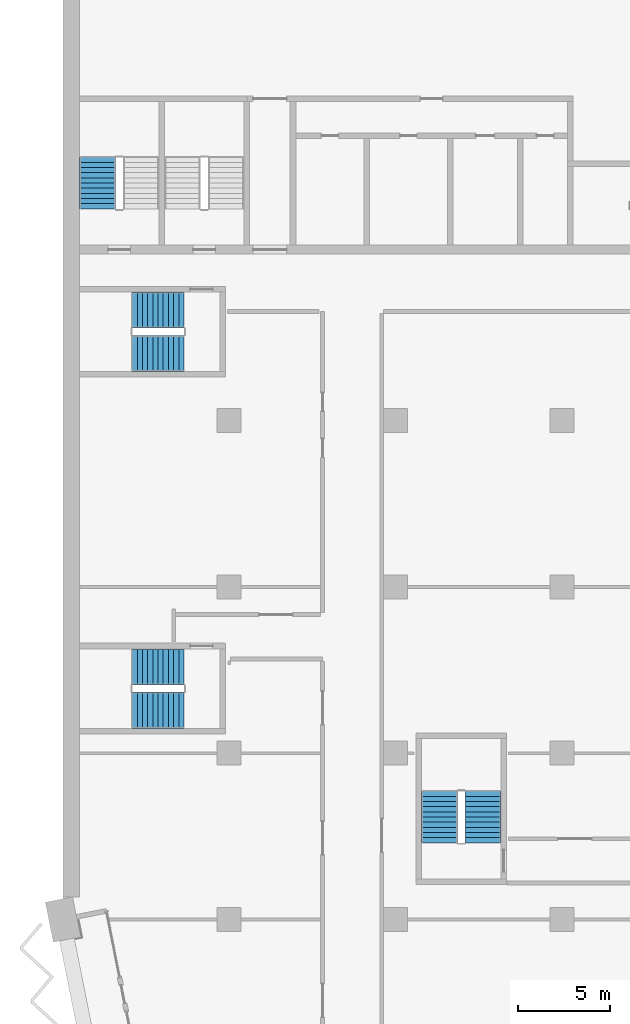
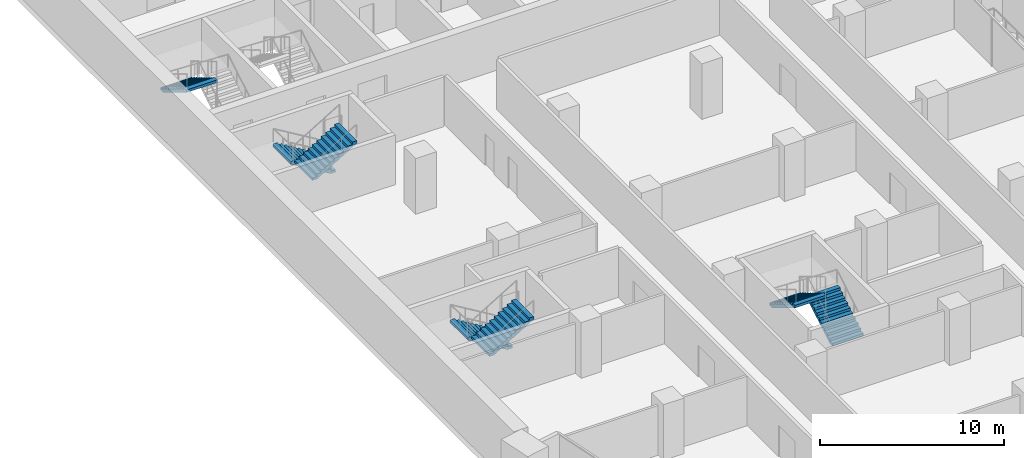
# One storey, part 16 of 23: 7 stair flights, 4 elements without a shape of their own.
"""IFC4 building model written with IfcOpenShell, lengths in metres."""

from ifc_helpers import new_model, si_unit, direction, frame, origin, place, context, subcontext, project, spatial, polyline, outline, extrude, material, type_object, element, aggregate, save


model = new_model("IFC4")

# Units and contexts
model_context = context("Model", 3, precision=1e-05, world=origin(), true_north=direction((0.0, 1.0)))
body_context = subcontext(model_context, "Body", "Model", "MODEL_VIEW")
ifc_project = project(units=[si_unit("LENGTHUNIT", "METRE"), si_unit("AREAUNIT", "SQUARE_METRE"), si_unit("VOLUMEUNIT", "CUBIC_METRE"), si_unit("PLANEANGLEUNIT", "RADIAN"), si_unit("MASSUNIT", "GRAM", prefix="KILO")], contexts=[model_context])

# Site, building, storey
site_placement = place(None, origin())
site = spatial("IfcSite", under=ifc_project, at=site_placement, CompositionType="ELEMENT")
building_placement = place(site_placement, origin())
building = spatial("IfcBuilding", under=site, at=building_placement, Name="Hunhe Ridgeline Campus", CompositionType="ELEMENT")
storey_placement = place(building_placement, frame((0.0, 0.0, 110.699951171875)))
storey = spatial("IfcBuildingStorey", under=building, at=storey_placement, Name="L27", CompositionType="ELEMENT", Elevation=110.699951171875)

# Stair, stair flight
ifc_material = material(Name="Concrete C40", Category="concrete")
stair_type = type_object("IfcStairType", Name="Reinforced concrete dog-leg stair 1950 Concrete C40", PredefinedType="HALF_TURN_STAIR", material=ifc_material)
stair_1_placement = place(storey_placement, origin())
stair_1 = element("IfcStair", 1, at=stair_1_placement, inside=storey, type_object=stair_type, Name="L27 S3", PredefinedType="HALF_TURN_STAIR")
stair_flight_type = type_object("IfcStairFlightType", Name="Reinforced concrete stair flight 1950 Concrete C40", PredefinedType="STRAIGHT", material=ifc_material)
stair_flight_1_placement = place(storey_placement, frame((1.875, 68.25, 1.85009765625), z_axis=(0.0, 0.0, 1.0), x_axis=(0.0, -1.0, 0.0)))
stair_flight_1 = element("IfcStairFlight", 2, at=stair_flight_1_placement, type_object=stair_flight_type, Name="ST3 flight 2", NumberOfRisers=11, NumberOfTreads=10, PredefinedType="STRAIGHT", RiserHeight=0.168181818, TreadLength=0.28, context=body_context, shape_type="SweptSolid", body=[
    extrude(outline(polyline([(0.0, 0.0), (0.0, 0.168212890625), (0.280029296875, 0.168212890625), (0.280029296875, 0.33642578125), (0.56005859375, 0.33642578125), (0.56005859375, 0.504638671875), (0.840087890625, 0.504638671875), (0.840087890625, 0.672607421875), (1.1201171875, 0.672607421875), (1.1201171875, 0.8408203125), (1.39990234375, 0.8408203125), (1.39990234375, 1.009033203125), (1.679931640625, 1.009033203125), (1.679931640625, 1.17724609375), (1.9599609375, 1.17724609375), (1.9599609375, 1.345458984375), (2.239990234375, 1.345458984375), (2.239990234375, 1.513671875), (2.52001953125, 1.513671875), (2.52001953125, 1.681884765625), (2.800048828125, 1.681884765625), (2.800048828125, 1.85009765625), (2.800048828125, 1.5068359375), (0.291015625, 0.0), (0.0, 0.0)])), frame((0.0, 0.97509765625, 0.0), z_axis=(0.0, -1.0, 0.0), x_axis=(1.0, 0.0, 0.0)), (0.0, 0.0, 1.0), 1.949951171875),
    extrude(outline(polyline([(0.030029296875, 0.030029296875), (0.030029296875, 0.13818359375), (0.31005859375, 0.13818359375), (0.31005859375, 0.306396484375), (0.590087890625, 0.306396484375), (0.590087890625, 0.474609375), (0.8701171875, 0.474609375), (0.8701171875, 0.642578125), (1.14990234375, 0.642578125), (1.14990234375, 0.810791015625), (1.429931640625, 0.810791015625), (1.429931640625, 0.97900390625), (1.7099609375, 0.97900390625), (1.7099609375, 1.147216796875), (1.989990234375, 1.147216796875), (1.989990234375, 1.3154296875), (2.27001953125, 1.3154296875), (2.27001953125, 1.483642578125), (2.550048828125, 1.483642578125), (2.550048828125, 1.65185546875), (2.77001953125, 1.65185546875), (2.77001953125, 1.52392578125), (0.28271484375, 0.030029296875), (0.030029296875, 0.030029296875)])), frame((0.0, -0.070068359375, 0.0), z_axis=(0.0, -1.0, 0.0), x_axis=(1.0, 0.0, 0.0)), (0.0, 0.0, 1.0), 0.019775390625),
    extrude(outline(polyline([(0.030029296875, 0.030029296875), (0.030029296875, 0.13818359375), (0.31005859375, 0.13818359375), (0.31005859375, 0.306396484375), (0.590087890625, 0.306396484375), (0.590087890625, 0.474609375), (0.8701171875, 0.474609375), (0.8701171875, 0.642578125), (1.14990234375, 0.642578125), (1.14990234375, 0.810791015625), (1.429931640625, 0.810791015625), (1.429931640625, 0.97900390625), (1.7099609375, 0.97900390625), (1.7099609375, 1.147216796875), (1.989990234375, 1.147216796875), (1.989990234375, 1.3154296875), (2.27001953125, 1.3154296875), (2.27001953125, 1.483642578125), (2.550048828125, 1.483642578125), (2.550048828125, 1.65185546875), (2.77001953125, 1.65185546875), (2.77001953125, 1.52392578125), (0.28271484375, 0.030029296875), (0.030029296875, 0.030029296875)])), frame((0.0, 0.010009765625, 0.0), z_axis=(0.0, -1.0, 0.0), x_axis=(1.0, 0.0, 0.0)), (0.0, 0.0, 1.0), 0.019775390625),
    extrude(outline(polyline([(0.030029296875, 0.030029296875), (0.030029296875, 0.13818359375), (0.31005859375, 0.13818359375), (0.31005859375, 0.306396484375), (0.590087890625, 0.306396484375), (0.590087890625, 0.474609375), (0.8701171875, 0.474609375), (0.8701171875, 0.642578125), (1.14990234375, 0.642578125), (1.14990234375, 0.810791015625), (1.429931640625, 0.810791015625), (1.429931640625, 0.97900390625), (1.7099609375, 0.97900390625), (1.7099609375, 1.147216796875), (1.989990234375, 1.147216796875), (1.989990234375, 1.3154296875), (2.27001953125, 1.3154296875), (2.27001953125, 1.483642578125), (2.550048828125, 1.483642578125), (2.550048828125, 1.65185546875), (2.77001953125, 1.65185546875), (2.77001953125, 1.52392578125), (0.28271484375, 0.030029296875), (0.030029296875, 0.030029296875)])), frame((0.0, 0.090087890625, 0.0), z_axis=(0.0, -1.0, 0.0), x_axis=(1.0, 0.0, 0.0)), (0.0, 0.0, 1.0), 0.019775390625),
])
aggregate(stair_1, [stair_flight_1])

# Stair, stair flights
stair_2_placement = place(storey_placement, origin())
stair_2 = element("IfcStair", 3, at=stair_2_placement, inside=storey, type_object=stair_type, Name="L27 W3", PredefinedType="HALF_TURN_STAIR")
stair_flight_2_placement = place(storey_placement, frame((22.72509765625, 31.14990234375, 0.0), z_axis=(0.0, 0.0, 1.0), x_axis=(0.0, 1.0, 0.0)))
stair_flight_2 = element("IfcStairFlight", 4, at=stair_flight_2_placement, type_object=stair_flight_type, Name="ST9 flight 1", NumberOfRisers=11, NumberOfTreads=10, PredefinedType="STRAIGHT", RiserHeight=0.168181818, TreadLength=0.28, context=body_context, shape_type="SweptSolid", body=[
    extrude(outline(polyline([(0.0, 0.0), (0.0, 0.168212890625), (0.280029296875, 0.168212890625), (0.280029296875, 0.33642578125), (0.56005859375, 0.33642578125), (0.56005859375, 0.504638671875), (0.840087890625, 0.504638671875), (0.840087890625, 0.672607421875), (1.1201171875, 0.672607421875), (1.1201171875, 0.8408203125), (1.39990234375, 0.8408203125), (1.39990234375, 1.009033203125), (1.679931640625, 1.009033203125), (1.679931640625, 1.17724609375), (1.9599609375, 1.17724609375), (1.9599609375, 1.345458984375), (2.239990234375, 1.345458984375), (2.239990234375, 1.513671875), (2.52001953125, 1.513671875), (2.52001953125, 1.681884765625), (2.800048828125, 1.681884765625), (2.800048828125, 1.85009765625), (2.800048828125, 1.5068359375), (0.291015625, 0.0), (0.0, 0.0)])), frame((0.0, 0.97509765625, 0.0), z_axis=(0.0, -1.0, 0.0), x_axis=(1.0, 0.0, 0.0)), (0.0, 0.0, 1.0), 1.949951171875),
    extrude(outline(polyline([(0.030029296875, 0.030029296875), (0.030029296875, 0.13818359375), (0.31005859375, 0.13818359375), (0.31005859375, 0.306396484375), (0.590087890625, 0.306396484375), (0.590087890625, 0.474609375), (0.8701171875, 0.474609375), (0.8701171875, 0.642578125), (1.14990234375, 0.642578125), (1.14990234375, 0.810791015625), (1.429931640625, 0.810791015625), (1.429931640625, 0.97900390625), (1.7099609375, 0.97900390625), (1.7099609375, 1.147216796875), (1.989990234375, 1.147216796875), (1.989990234375, 1.3154296875), (2.27001953125, 1.3154296875), (2.27001953125, 1.483642578125), (2.550048828125, 1.483642578125), (2.550048828125, 1.65185546875), (2.77001953125, 1.65185546875), (2.77001953125, 1.52392578125), (0.28271484375, 0.030029296875), (0.030029296875, 0.030029296875)])), frame((0.0, -0.070068359375, 0.0), z_axis=(0.0, -1.0, 0.0), x_axis=(1.0, 0.0, 0.0)), (0.0, 0.0, 1.0), 0.019775390625),
    extrude(outline(polyline([(0.030029296875, 0.030029296875), (0.030029296875, 0.13818359375), (0.31005859375, 0.13818359375), (0.31005859375, 0.306396484375), (0.590087890625, 0.306396484375), (0.590087890625, 0.474609375), (0.8701171875, 0.474609375), (0.8701171875, 0.642578125), (1.14990234375, 0.642578125), (1.14990234375, 0.810791015625), (1.429931640625, 0.810791015625), (1.429931640625, 0.97900390625), (1.7099609375, 0.97900390625), (1.7099609375, 1.147216796875), (1.989990234375, 1.147216796875), (1.989990234375, 1.3154296875), (2.27001953125, 1.3154296875), (2.27001953125, 1.483642578125), (2.550048828125, 1.483642578125), (2.550048828125, 1.65185546875), (2.77001953125, 1.65185546875), (2.77001953125, 1.52392578125), (0.28271484375, 0.030029296875), (0.030029296875, 0.030029296875)])), frame((0.0, 0.010009765625, 0.0), z_axis=(0.0, -1.0, 0.0), x_axis=(1.0, 0.0, 0.0)), (0.0, 0.0, 1.0), 0.019775390625),
    extrude(outline(polyline([(0.030029296875, 0.030029296875), (0.030029296875, 0.13818359375), (0.31005859375, 0.13818359375), (0.31005859375, 0.306396484375), (0.590087890625, 0.306396484375), (0.590087890625, 0.474609375), (0.8701171875, 0.474609375), (0.8701171875, 0.642578125), (1.14990234375, 0.642578125), (1.14990234375, 0.810791015625), (1.429931640625, 0.810791015625), (1.429931640625, 0.97900390625), (1.7099609375, 0.97900390625), (1.7099609375, 1.147216796875), (1.989990234375, 1.147216796875), (1.989990234375, 1.3154296875), (2.27001953125, 1.3154296875), (2.27001953125, 1.483642578125), (2.550048828125, 1.483642578125), (2.550048828125, 1.65185546875), (2.77001953125, 1.65185546875), (2.77001953125, 1.52392578125), (0.28271484375, 0.030029296875), (0.030029296875, 0.030029296875)])), frame((0.0, 0.090087890625, 0.0), z_axis=(0.0, -1.0, 0.0), x_axis=(1.0, 0.0, 0.0)), (0.0, 0.0, 1.0), 0.019775390625),
])
stair_flight_3_placement = place(storey_placement, frame((20.375, 33.949951171875, 1.85009765625), z_axis=(0.0, 0.0, 1.0), x_axis=(0.0, -1.0, 0.0)))
stair_flight_3 = element("IfcStairFlight", 5, at=stair_flight_3_placement, type_object=stair_flight_type, Name="ST9 flight 2", NumberOfRisers=11, NumberOfTreads=10, PredefinedType="STRAIGHT", RiserHeight=0.168181818, TreadLength=0.28, context=body_context, shape_type="SweptSolid", body=[
    extrude(outline(polyline([(0.0, 0.0), (0.0, 0.168212890625), (0.280029296875, 0.168212890625), (0.280029296875, 0.33642578125), (0.56005859375, 0.33642578125), (0.56005859375, 0.504638671875), (0.840087890625, 0.504638671875), (0.840087890625, 0.672607421875), (1.1201171875, 0.672607421875), (1.1201171875, 0.8408203125), (1.39990234375, 0.8408203125), (1.39990234375, 1.009033203125), (1.679931640625, 1.009033203125), (1.679931640625, 1.17724609375), (1.9599609375, 1.17724609375), (1.9599609375, 1.345458984375), (2.239990234375, 1.345458984375), (2.239990234375, 1.513671875), (2.52001953125, 1.513671875), (2.52001953125, 1.681884765625), (2.800048828125, 1.681884765625), (2.800048828125, 1.85009765625), (2.800048828125, 1.5068359375), (0.291015625, 0.0), (0.0, 0.0)])), frame((0.0, 0.97509765625, 0.0), z_axis=(0.0, -1.0, 0.0), x_axis=(1.0, 0.0, 0.0)), (0.0, 0.0, 1.0), 1.949951171875),
    extrude(outline(polyline([(0.030029296875, 0.030029296875), (0.030029296875, 0.13818359375), (0.31005859375, 0.13818359375), (0.31005859375, 0.306396484375), (0.590087890625, 0.306396484375), (0.590087890625, 0.474609375), (0.8701171875, 0.474609375), (0.8701171875, 0.642578125), (1.14990234375, 0.642578125), (1.14990234375, 0.810791015625), (1.429931640625, 0.810791015625), (1.429931640625, 0.97900390625), (1.7099609375, 0.97900390625), (1.7099609375, 1.147216796875), (1.989990234375, 1.147216796875), (1.989990234375, 1.3154296875), (2.27001953125, 1.3154296875), (2.27001953125, 1.483642578125), (2.550048828125, 1.483642578125), (2.550048828125, 1.65185546875), (2.77001953125, 1.65185546875), (2.77001953125, 1.52392578125), (0.28271484375, 0.030029296875), (0.030029296875, 0.030029296875)])), frame((0.0, -0.070068359375, 0.0), z_axis=(0.0, -1.0, 0.0), x_axis=(1.0, 0.0, 0.0)), (0.0, 0.0, 1.0), 0.019775390625),
    extrude(outline(polyline([(0.030029296875, 0.030029296875), (0.030029296875, 0.13818359375), (0.31005859375, 0.13818359375), (0.31005859375, 0.306396484375), (0.590087890625, 0.306396484375), (0.590087890625, 0.474609375), (0.8701171875, 0.474609375), (0.8701171875, 0.642578125), (1.14990234375, 0.642578125), (1.14990234375, 0.810791015625), (1.429931640625, 0.810791015625), (1.429931640625, 0.97900390625), (1.7099609375, 0.97900390625), (1.7099609375, 1.147216796875), (1.989990234375, 1.147216796875), (1.989990234375, 1.3154296875), (2.27001953125, 1.3154296875), (2.27001953125, 1.483642578125), (2.550048828125, 1.483642578125), (2.550048828125, 1.65185546875), (2.77001953125, 1.65185546875), (2.77001953125, 1.52392578125), (0.28271484375, 0.030029296875), (0.030029296875, 0.030029296875)])), frame((0.0, 0.010009765625, 0.0), z_axis=(0.0, -1.0, 0.0), x_axis=(1.0, 0.0, 0.0)), (0.0, 0.0, 1.0), 0.019775390625),
    extrude(outline(polyline([(0.030029296875, 0.030029296875), (0.030029296875, 0.13818359375), (0.31005859375, 0.13818359375), (0.31005859375, 0.306396484375), (0.590087890625, 0.306396484375), (0.590087890625, 0.474609375), (0.8701171875, 0.474609375), (0.8701171875, 0.642578125), (1.14990234375, 0.642578125), (1.14990234375, 0.810791015625), (1.429931640625, 0.810791015625), (1.429931640625, 0.97900390625), (1.7099609375, 0.97900390625), (1.7099609375, 1.147216796875), (1.989990234375, 1.147216796875), (1.989990234375, 1.3154296875), (2.27001953125, 1.3154296875), (2.27001953125, 1.483642578125), (2.550048828125, 1.483642578125), (2.550048828125, 1.65185546875), (2.77001953125, 1.65185546875), (2.77001953125, 1.52392578125), (0.28271484375, 0.030029296875), (0.030029296875, 0.030029296875)])), frame((0.0, 0.090087890625, 0.0), z_axis=(0.0, -1.0, 0.0), x_axis=(1.0, 0.0, 0.0)), (0.0, 0.0, 1.0), 0.019775390625),
])
aggregate(stair_2, [stair_flight_2, stair_flight_3])

stair_3_placement = place(storey_placement, origin())
stair_3 = element("IfcStair", 6, at=stair_3_placement, inside=storey, type_object=stair_type, Name="L27 W1", PredefinedType="HALF_TURN_STAIR")
stair_flight_4_placement = place(storey_placement, frame((6.550048828125, 40.675048828125, 0.0), z_axis=(0.0, 0.0, 1.0), x_axis=(-1.0, 0.0, 0.0)))
stair_flight_4 = element("IfcStairFlight", 7, at=stair_flight_4_placement, type_object=stair_flight_type, Name="ST11 flight 1", NumberOfRisers=11, NumberOfTreads=10, PredefinedType="STRAIGHT", RiserHeight=0.168181818, TreadLength=0.28, context=body_context, shape_type="SweptSolid", body=[
    extrude(outline(polyline([(0.0, 0.0), (0.0, 0.168212890625), (0.280029296875, 0.168212890625), (0.280029296875, 0.33642578125), (0.56005859375, 0.33642578125), (0.56005859375, 0.504638671875), (0.840087890625, 0.504638671875), (0.840087890625, 0.672607421875), (1.1201171875, 0.672607421875), (1.1201171875, 0.8408203125), (1.39990234375, 0.8408203125), (1.39990234375, 1.009033203125), (1.679931640625, 1.009033203125), (1.679931640625, 1.17724609375), (1.9599609375, 1.17724609375), (1.9599609375, 1.345458984375), (2.239990234375, 1.345458984375), (2.239990234375, 1.513671875), (2.52001953125, 1.513671875), (2.52001953125, 1.681884765625), (2.800048828125, 1.681884765625), (2.800048828125, 1.85009765625), (2.800048828125, 1.5068359375), (0.291015625, 0.0), (0.0, 0.0)])), frame((0.0, 0.97509765625, 0.0), z_axis=(0.0, -1.0, 0.0), x_axis=(1.0, 0.0, 0.0)), (0.0, 0.0, 1.0), 1.949951171875),
    extrude(outline(polyline([(0.030029296875, 0.030029296875), (0.030029296875, 0.13818359375), (0.31005859375, 0.13818359375), (0.31005859375, 0.306396484375), (0.590087890625, 0.306396484375), (0.590087890625, 0.474609375), (0.8701171875, 0.474609375), (0.8701171875, 0.642578125), (1.14990234375, 0.642578125), (1.14990234375, 0.810791015625), (1.429931640625, 0.810791015625), (1.429931640625, 0.97900390625), (1.7099609375, 0.97900390625), (1.7099609375, 1.147216796875), (1.989990234375, 1.147216796875), (1.989990234375, 1.3154296875), (2.27001953125, 1.3154296875), (2.27001953125, 1.483642578125), (2.550048828125, 1.483642578125), (2.550048828125, 1.65185546875), (2.77001953125, 1.65185546875), (2.77001953125, 1.52392578125), (0.28271484375, 0.030029296875), (0.030029296875, 0.030029296875)])), frame((0.0, -0.070068359375, 0.0), z_axis=(0.0, -1.0, 0.0), x_axis=(1.0, 0.0, 0.0)), (0.0, 0.0, 1.0), 0.019775390625),
    extrude(outline(polyline([(0.030029296875, 0.030029296875), (0.030029296875, 0.13818359375), (0.31005859375, 0.13818359375), (0.31005859375, 0.306396484375), (0.590087890625, 0.306396484375), (0.590087890625, 0.474609375), (0.8701171875, 0.474609375), (0.8701171875, 0.642578125), (1.14990234375, 0.642578125), (1.14990234375, 0.810791015625), (1.429931640625, 0.810791015625), (1.429931640625, 0.97900390625), (1.7099609375, 0.97900390625), (1.7099609375, 1.147216796875), (1.989990234375, 1.147216796875), (1.989990234375, 1.3154296875), (2.27001953125, 1.3154296875), (2.27001953125, 1.483642578125), (2.550048828125, 1.483642578125), (2.550048828125, 1.65185546875), (2.77001953125, 1.65185546875), (2.77001953125, 1.52392578125), (0.28271484375, 0.030029296875), (0.030029296875, 0.030029296875)])), frame((0.0, 0.010009765625, 0.0), z_axis=(0.0, -1.0, 0.0), x_axis=(1.0, 0.0, 0.0)), (0.0, 0.0, 1.0), 0.019775390625),
    extrude(outline(polyline([(0.030029296875, 0.030029296875), (0.030029296875, 0.13818359375), (0.31005859375, 0.13818359375), (0.31005859375, 0.306396484375), (0.590087890625, 0.306396484375), (0.590087890625, 0.474609375), (0.8701171875, 0.474609375), (0.8701171875, 0.642578125), (1.14990234375, 0.642578125), (1.14990234375, 0.810791015625), (1.429931640625, 0.810791015625), (1.429931640625, 0.97900390625), (1.7099609375, 0.97900390625), (1.7099609375, 1.147216796875), (1.989990234375, 1.147216796875), (1.989990234375, 1.3154296875), (2.27001953125, 1.3154296875), (2.27001953125, 1.483642578125), (2.550048828125, 1.483642578125), (2.550048828125, 1.65185546875), (2.77001953125, 1.65185546875), (2.77001953125, 1.52392578125), (0.28271484375, 0.030029296875), (0.030029296875, 0.030029296875)])), frame((0.0, 0.090087890625, 0.0), z_axis=(0.0, -1.0, 0.0), x_axis=(1.0, 0.0, 0.0)), (0.0, 0.0, 1.0), 0.019775390625),
])
stair_flight_5_placement = place(storey_placement, frame((3.75, 38.324951171875, 1.85009765625), z_axis=(0.0, 0.0, 1.0), x_axis=(1.0, 0.0, 0.0)))
stair_flight_5 = element("IfcStairFlight", 8, at=stair_flight_5_placement, type_object=stair_flight_type, Name="ST11 flight 2", NumberOfRisers=11, NumberOfTreads=10, PredefinedType="STRAIGHT", RiserHeight=0.168181818, TreadLength=0.28, context=body_context, shape_type="SweptSolid", body=[
    extrude(outline(polyline([(0.0, 0.0), (0.0, 0.168212890625), (0.280029296875, 0.168212890625), (0.280029296875, 0.33642578125), (0.56005859375, 0.33642578125), (0.56005859375, 0.504638671875), (0.840087890625, 0.504638671875), (0.840087890625, 0.672607421875), (1.1201171875, 0.672607421875), (1.1201171875, 0.8408203125), (1.39990234375, 0.8408203125), (1.39990234375, 1.009033203125), (1.679931640625, 1.009033203125), (1.679931640625, 1.17724609375), (1.9599609375, 1.17724609375), (1.9599609375, 1.345458984375), (2.239990234375, 1.345458984375), (2.239990234375, 1.513671875), (2.52001953125, 1.513671875), (2.52001953125, 1.681884765625), (2.800048828125, 1.681884765625), (2.800048828125, 1.85009765625), (2.800048828125, 1.5068359375), (0.291015625, 0.0), (0.0, 0.0)])), frame((0.0, 0.97509765625, 0.0), z_axis=(0.0, -1.0, 0.0), x_axis=(1.0, 0.0, 0.0)), (0.0, 0.0, 1.0), 1.949951171875),
    extrude(outline(polyline([(0.030029296875, 0.030029296875), (0.030029296875, 0.13818359375), (0.31005859375, 0.13818359375), (0.31005859375, 0.306396484375), (0.590087890625, 0.306396484375), (0.590087890625, 0.474609375), (0.8701171875, 0.474609375), (0.8701171875, 0.642578125), (1.14990234375, 0.642578125), (1.14990234375, 0.810791015625), (1.429931640625, 0.810791015625), (1.429931640625, 0.97900390625), (1.7099609375, 0.97900390625), (1.7099609375, 1.147216796875), (1.989990234375, 1.147216796875), (1.989990234375, 1.3154296875), (2.27001953125, 1.3154296875), (2.27001953125, 1.483642578125), (2.550048828125, 1.483642578125), (2.550048828125, 1.65185546875), (2.77001953125, 1.65185546875), (2.77001953125, 1.52392578125), (0.28271484375, 0.030029296875), (0.030029296875, 0.030029296875)])), frame((0.0, -0.070068359375, 0.0), z_axis=(0.0, -1.0, 0.0), x_axis=(1.0, 0.0, 0.0)), (0.0, 0.0, 1.0), 0.019775390625),
    extrude(outline(polyline([(0.030029296875, 0.030029296875), (0.030029296875, 0.13818359375), (0.31005859375, 0.13818359375), (0.31005859375, 0.306396484375), (0.590087890625, 0.306396484375), (0.590087890625, 0.474609375), (0.8701171875, 0.474609375), (0.8701171875, 0.642578125), (1.14990234375, 0.642578125), (1.14990234375, 0.810791015625), (1.429931640625, 0.810791015625), (1.429931640625, 0.97900390625), (1.7099609375, 0.97900390625), (1.7099609375, 1.147216796875), (1.989990234375, 1.147216796875), (1.989990234375, 1.3154296875), (2.27001953125, 1.3154296875), (2.27001953125, 1.483642578125), (2.550048828125, 1.483642578125), (2.550048828125, 1.65185546875), (2.77001953125, 1.65185546875), (2.77001953125, 1.52392578125), (0.28271484375, 0.030029296875), (0.030029296875, 0.030029296875)])), frame((0.0, 0.010009765625, 0.0), z_axis=(0.0, -1.0, 0.0), x_axis=(1.0, 0.0, 0.0)), (0.0, 0.0, 1.0), 0.019775390625),
    extrude(outline(polyline([(0.030029296875, 0.030029296875), (0.030029296875, 0.13818359375), (0.31005859375, 0.13818359375), (0.31005859375, 0.306396484375), (0.590087890625, 0.306396484375), (0.590087890625, 0.474609375), (0.8701171875, 0.474609375), (0.8701171875, 0.642578125), (1.14990234375, 0.642578125), (1.14990234375, 0.810791015625), (1.429931640625, 0.810791015625), (1.429931640625, 0.97900390625), (1.7099609375, 0.97900390625), (1.7099609375, 1.147216796875), (1.989990234375, 1.147216796875), (1.989990234375, 1.3154296875), (2.27001953125, 1.3154296875), (2.27001953125, 1.483642578125), (2.550048828125, 1.483642578125), (2.550048828125, 1.65185546875), (2.77001953125, 1.65185546875), (2.77001953125, 1.52392578125), (0.28271484375, 0.030029296875), (0.030029296875, 0.030029296875)])), frame((0.0, 0.090087890625, 0.0), z_axis=(0.0, -1.0, 0.0), x_axis=(1.0, 0.0, 0.0)), (0.0, 0.0, 1.0), 0.019775390625),
])
aggregate(stair_3, [stair_flight_4, stair_flight_5])

stair_4_placement = place(storey_placement, origin())
stair_4 = element("IfcStair", 9, at=stair_4_placement, inside=storey, type_object=stair_type, Name="L27 W2", PredefinedType="HALF_TURN_STAIR")
stair_flight_6_placement = place(storey_placement, frame((6.550048828125, 59.97509765625, 0.0), z_axis=(0.0, 0.0, 1.0), x_axis=(-1.0, 0.0, 0.0)))
stair_flight_6 = element("IfcStairFlight", 10, at=stair_flight_6_placement, type_object=stair_flight_type, Name="ST12 flight 1", NumberOfRisers=11, NumberOfTreads=10, PredefinedType="STRAIGHT", RiserHeight=0.168181818, TreadLength=0.28, context=body_context, shape_type="SweptSolid", body=[
    extrude(outline(polyline([(0.0, 0.0), (0.0, 0.168212890625), (0.280029296875, 0.168212890625), (0.280029296875, 0.33642578125), (0.56005859375, 0.33642578125), (0.56005859375, 0.504638671875), (0.840087890625, 0.504638671875), (0.840087890625, 0.672607421875), (1.1201171875, 0.672607421875), (1.1201171875, 0.8408203125), (1.39990234375, 0.8408203125), (1.39990234375, 1.009033203125), (1.679931640625, 1.009033203125), (1.679931640625, 1.17724609375), (1.9599609375, 1.17724609375), (1.9599609375, 1.345458984375), (2.239990234375, 1.345458984375), (2.239990234375, 1.513671875), (2.52001953125, 1.513671875), (2.52001953125, 1.681884765625), (2.800048828125, 1.681884765625), (2.800048828125, 1.85009765625), (2.800048828125, 1.5068359375), (0.291015625, 0.0), (0.0, 0.0)])), frame((0.0, 0.97509765625, 0.0), z_axis=(0.0, -1.0, 0.0), x_axis=(1.0, 0.0, 0.0)), (0.0, 0.0, 1.0), 1.949951171875),
    extrude(outline(polyline([(0.030029296875, 0.030029296875), (0.030029296875, 0.13818359375), (0.31005859375, 0.13818359375), (0.31005859375, 0.306396484375), (0.590087890625, 0.306396484375), (0.590087890625, 0.474609375), (0.8701171875, 0.474609375), (0.8701171875, 0.642578125), (1.14990234375, 0.642578125), (1.14990234375, 0.810791015625), (1.429931640625, 0.810791015625), (1.429931640625, 0.97900390625), (1.7099609375, 0.97900390625), (1.7099609375, 1.147216796875), (1.989990234375, 1.147216796875), (1.989990234375, 1.3154296875), (2.27001953125, 1.3154296875), (2.27001953125, 1.483642578125), (2.550048828125, 1.483642578125), (2.550048828125, 1.65185546875), (2.77001953125, 1.65185546875), (2.77001953125, 1.52392578125), (0.28271484375, 0.030029296875), (0.030029296875, 0.030029296875)])), frame((0.0, -0.070068359375, 0.0), z_axis=(0.0, -1.0, 0.0), x_axis=(1.0, 0.0, 0.0)), (0.0, 0.0, 1.0), 0.019775390625),
    extrude(outline(polyline([(0.030029296875, 0.030029296875), (0.030029296875, 0.13818359375), (0.31005859375, 0.13818359375), (0.31005859375, 0.306396484375), (0.590087890625, 0.306396484375), (0.590087890625, 0.474609375), (0.8701171875, 0.474609375), (0.8701171875, 0.642578125), (1.14990234375, 0.642578125), (1.14990234375, 0.810791015625), (1.429931640625, 0.810791015625), (1.429931640625, 0.97900390625), (1.7099609375, 0.97900390625), (1.7099609375, 1.147216796875), (1.989990234375, 1.147216796875), (1.989990234375, 1.3154296875), (2.27001953125, 1.3154296875), (2.27001953125, 1.483642578125), (2.550048828125, 1.483642578125), (2.550048828125, 1.65185546875), (2.77001953125, 1.65185546875), (2.77001953125, 1.52392578125), (0.28271484375, 0.030029296875), (0.030029296875, 0.030029296875)])), frame((0.0, 0.010009765625, 0.0), z_axis=(0.0, -1.0, 0.0), x_axis=(1.0, 0.0, 0.0)), (0.0, 0.0, 1.0), 0.019775390625),
    extrude(outline(polyline([(0.030029296875, 0.030029296875), (0.030029296875, 0.13818359375), (0.31005859375, 0.13818359375), (0.31005859375, 0.306396484375), (0.590087890625, 0.306396484375), (0.590087890625, 0.474609375), (0.8701171875, 0.474609375), (0.8701171875, 0.642578125), (1.14990234375, 0.642578125), (1.14990234375, 0.810791015625), (1.429931640625, 0.810791015625), (1.429931640625, 0.97900390625), (1.7099609375, 0.97900390625), (1.7099609375, 1.147216796875), (1.989990234375, 1.147216796875), (1.989990234375, 1.3154296875), (2.27001953125, 1.3154296875), (2.27001953125, 1.483642578125), (2.550048828125, 1.483642578125), (2.550048828125, 1.65185546875), (2.77001953125, 1.65185546875), (2.77001953125, 1.52392578125), (0.28271484375, 0.030029296875), (0.030029296875, 0.030029296875)])), frame((0.0, 0.090087890625, 0.0), z_axis=(0.0, -1.0, 0.0), x_axis=(1.0, 0.0, 0.0)), (0.0, 0.0, 1.0), 0.019775390625),
])
stair_flight_7_placement = place(storey_placement, frame((3.75, 57.625, 1.85009765625), z_axis=(0.0, 0.0, 1.0), x_axis=(1.0, 0.0, 0.0)))
stair_flight_7 = element("IfcStairFlight", 11, at=stair_flight_7_placement, type_object=stair_flight_type, Name="ST12 flight 2", NumberOfRisers=11, NumberOfTreads=10, PredefinedType="STRAIGHT", RiserHeight=0.168181818, TreadLength=0.28, context=body_context, shape_type="SweptSolid", body=[
    extrude(outline(polyline([(0.0, 0.0), (0.0, 0.168212890625), (0.280029296875, 0.168212890625), (0.280029296875, 0.33642578125), (0.56005859375, 0.33642578125), (0.56005859375, 0.504638671875), (0.840087890625, 0.504638671875), (0.840087890625, 0.672607421875), (1.1201171875, 0.672607421875), (1.1201171875, 0.8408203125), (1.39990234375, 0.8408203125), (1.39990234375, 1.009033203125), (1.679931640625, 1.009033203125), (1.679931640625, 1.17724609375), (1.9599609375, 1.17724609375), (1.9599609375, 1.345458984375), (2.239990234375, 1.345458984375), (2.239990234375, 1.513671875), (2.52001953125, 1.513671875), (2.52001953125, 1.681884765625), (2.800048828125, 1.681884765625), (2.800048828125, 1.85009765625), (2.800048828125, 1.5068359375), (0.291015625, 0.0), (0.0, 0.0)])), frame((0.0, 0.97509765625, 0.0), z_axis=(0.0, -1.0, 0.0), x_axis=(1.0, 0.0, 0.0)), (0.0, 0.0, 1.0), 1.949951171875),
    extrude(outline(polyline([(0.030029296875, 0.030029296875), (0.030029296875, 0.13818359375), (0.31005859375, 0.13818359375), (0.31005859375, 0.306396484375), (0.590087890625, 0.306396484375), (0.590087890625, 0.474609375), (0.8701171875, 0.474609375), (0.8701171875, 0.642578125), (1.14990234375, 0.642578125), (1.14990234375, 0.810791015625), (1.429931640625, 0.810791015625), (1.429931640625, 0.97900390625), (1.7099609375, 0.97900390625), (1.7099609375, 1.147216796875), (1.989990234375, 1.147216796875), (1.989990234375, 1.3154296875), (2.27001953125, 1.3154296875), (2.27001953125, 1.483642578125), (2.550048828125, 1.483642578125), (2.550048828125, 1.65185546875), (2.77001953125, 1.65185546875), (2.77001953125, 1.52392578125), (0.28271484375, 0.030029296875), (0.030029296875, 0.030029296875)])), frame((0.0, -0.070068359375, 0.0), z_axis=(0.0, -1.0, 0.0), x_axis=(1.0, 0.0, 0.0)), (0.0, 0.0, 1.0), 0.019775390625),
    extrude(outline(polyline([(0.030029296875, 0.030029296875), (0.030029296875, 0.13818359375), (0.31005859375, 0.13818359375), (0.31005859375, 0.306396484375), (0.590087890625, 0.306396484375), (0.590087890625, 0.474609375), (0.8701171875, 0.474609375), (0.8701171875, 0.642578125), (1.14990234375, 0.642578125), (1.14990234375, 0.810791015625), (1.429931640625, 0.810791015625), (1.429931640625, 0.97900390625), (1.7099609375, 0.97900390625), (1.7099609375, 1.147216796875), (1.989990234375, 1.147216796875), (1.989990234375, 1.3154296875), (2.27001953125, 1.3154296875), (2.27001953125, 1.483642578125), (2.550048828125, 1.483642578125), (2.550048828125, 1.65185546875), (2.77001953125, 1.65185546875), (2.77001953125, 1.52392578125), (0.28271484375, 0.030029296875), (0.030029296875, 0.030029296875)])), frame((0.0, 0.010009765625, 0.0), z_axis=(0.0, -1.0, 0.0), x_axis=(1.0, 0.0, 0.0)), (0.0, 0.0, 1.0), 0.019775390625),
    extrude(outline(polyline([(0.030029296875, 0.030029296875), (0.030029296875, 0.13818359375), (0.31005859375, 0.13818359375), (0.31005859375, 0.306396484375), (0.590087890625, 0.306396484375), (0.590087890625, 0.474609375), (0.8701171875, 0.474609375), (0.8701171875, 0.642578125), (1.14990234375, 0.642578125), (1.14990234375, 0.810791015625), (1.429931640625, 0.810791015625), (1.429931640625, 0.97900390625), (1.7099609375, 0.97900390625), (1.7099609375, 1.147216796875), (1.989990234375, 1.147216796875), (1.989990234375, 1.3154296875), (2.27001953125, 1.3154296875), (2.27001953125, 1.483642578125), (2.550048828125, 1.483642578125), (2.550048828125, 1.65185546875), (2.77001953125, 1.65185546875), (2.77001953125, 1.52392578125), (0.28271484375, 0.030029296875), (0.030029296875, 0.030029296875)])), frame((0.0, 0.090087890625, 0.0), z_axis=(0.0, -1.0, 0.0), x_axis=(1.0, 0.0, 0.0)), (0.0, 0.0, 1.0), 0.019775390625),
])
aggregate(stair_4, [stair_flight_6, stair_flight_7])

save(model, "model.ifc")
